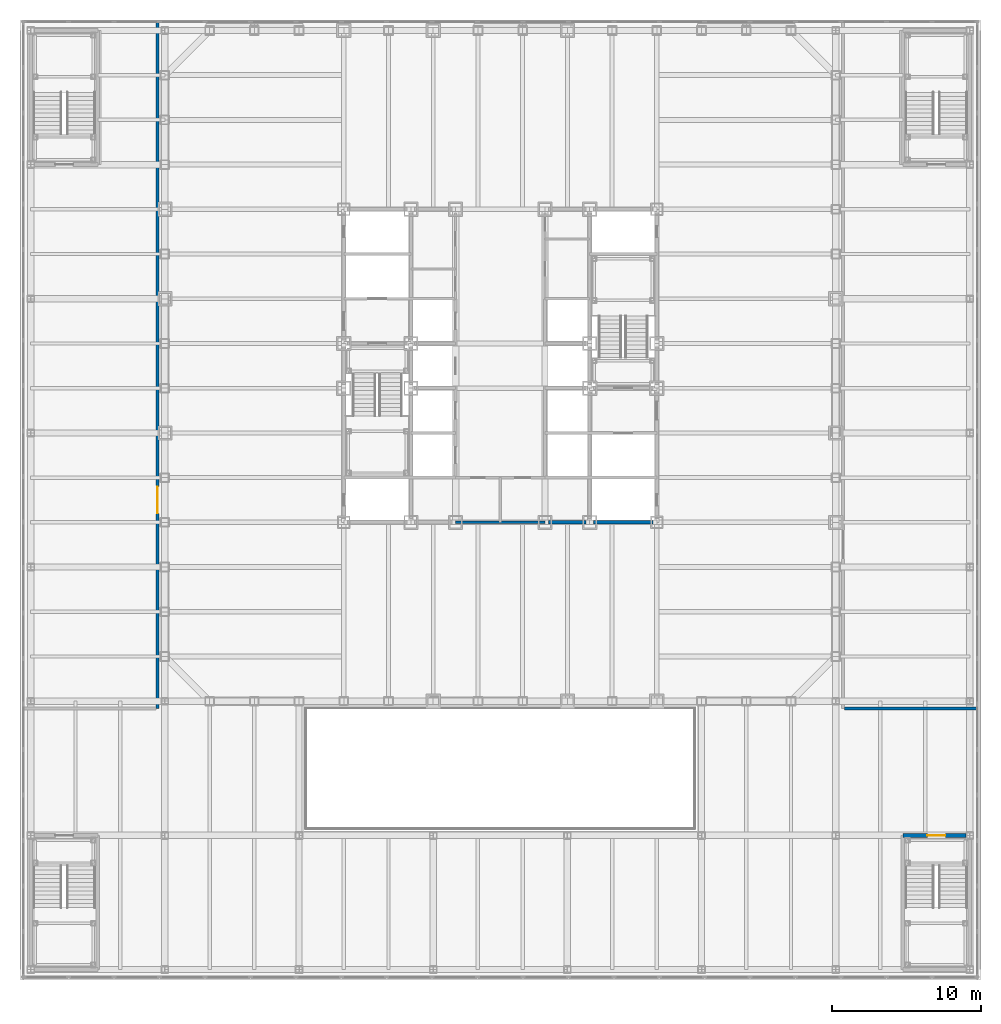
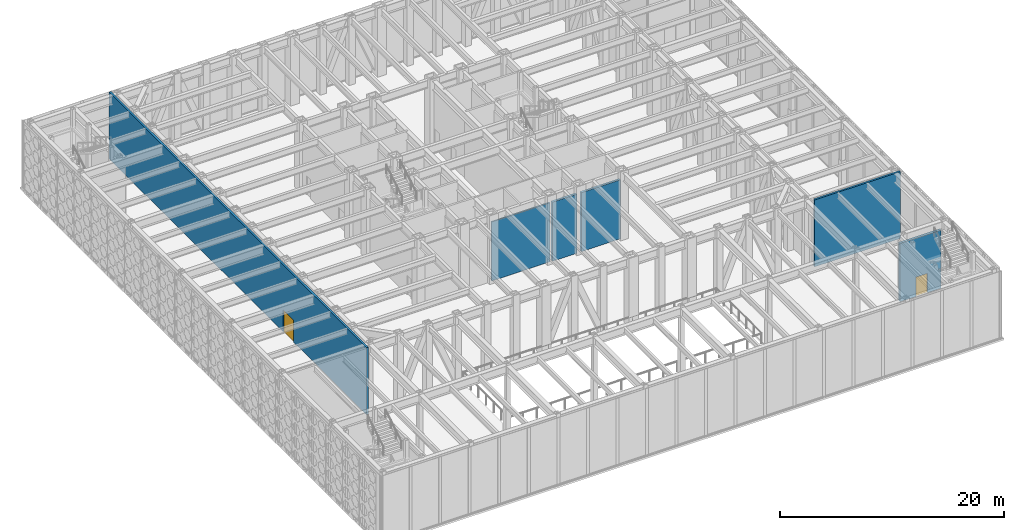
# One storey, part 15 of 34: 6 walls, 2 doors, 2 openings.
"""IFC4 building model written with IfcOpenShell, lengths in metres."""

from ifc_helpers import new_model, si_unit, direction, frame, frame_2d, origin, place, context, subcontext, project, spatial, rectangle, extrude, material, layer, layer_set, type_object, element, fill, save


model = new_model("IFC4")

# Units and contexts
model_context = context("Model", 3, precision=1e-05, world=origin(), true_north=direction((0.0, 1.0)))
body_context = subcontext(model_context, "Body", "Model", "MODEL_VIEW")
ifc_project = project(units=[si_unit("LENGTHUNIT", "METRE"), si_unit("AREAUNIT", "SQUARE_METRE"), si_unit("VOLUMEUNIT", "CUBIC_METRE"), si_unit("PLANEANGLEUNIT", "RADIAN"), si_unit("MASSUNIT", "GRAM", prefix="KILO")], contexts=[model_context])

# Site, building, storey
site_placement = place(None, origin())
site = spatial("IfcSite", under=ifc_project, at=site_placement, CompositionType="ELEMENT")
building_placement = place(site_placement, origin())
building = spatial("IfcBuilding", under=site, at=building_placement, Name="Chuquiago Exchange Tower", CompositionType="ELEMENT")
storey_placement = place(building_placement, frame((0.0, 0.0, 6.0)))
storey = spatial("IfcBuildingStorey", under=building, at=storey_placement, Name="L01", CompositionType="ELEMENT", Elevation=6.0)

# Walls
ifc_material_1 = material(Name="Concrete masonry, fully grouted", Category="masonry")
ifc_layer_1 = layer(ifc_material_1, 0.25)
ifc_layer_set_1 = layer_set([ifc_layer_1], Name="W1 core wall 250")
wall_type_1 = type_object("IfcWallType", Name="W1 core wall 250", PredefinedType="SOLIDWALL", material=ifc_layer_set_1)
wall_1_placement = place(storey_placement, frame((25.75, 12.0, 0.0), z_axis=(0.0, 0.0, 1.0), x_axis=(1.0, 0.0, 0.0)))
element("IfcWall", 1, at=wall_1_placement, inside=storey, type_object=wall_type_1, Name="CW-L01-02-0", PredefinedType="SOLIDWALL", context=body_context, shape_type="SweptSolid", body=[
    extrude(rectangle(XDim=2.5, YDim=0.25, at=frame_2d((1.25, 0.0))), origin(), (0.0, 0.0, 1.0), 6.44140625),
])
wall_2_placement = place(storey_placement, frame((28.75, 12.0, 0.0), z_axis=(0.0, 0.0, 1.0), x_axis=(1.0, 0.0, 0.0)))
element("IfcWall", 2, at=wall_2_placement, inside=storey, type_object=wall_type_1, Name="CW-L01-02-1", PredefinedType="SOLIDWALL", context=body_context, shape_type="SweptSolid", body=[
    extrude(rectangle(XDim=4.0, YDim=0.25, at=frame_2d((2.0, 0.0))), origin(), (0.0, 0.0, 1.0), 6.44140625),
])

# Wall, opening, door
ifc_material_2 = material(Name="Concrete masonry, fully grouted", Category="masonry")
ifc_layer_2 = layer(ifc_material_2, 0.25)
ifc_layer_set_2 = layer_set([ifc_layer_2], Name="W10 podium stair wall 250")
wall_type_2 = type_object("IfcWallType", Name="W10 podium stair wall 250", PredefinedType="SOLIDWALL", material=ifc_layer_set_2)
wall_3_placement = place(storey_placement, frame((49.5, -9.0, 0.0), z_axis=(0.0, 0.0, 1.0), x_axis=(1.0, 0.0, 0.0)))
wall_3 = element("IfcWall", 3, at=wall_3_placement, inside=storey, type_object=wall_type_2, Name="PSW-L01-PS2-20", PredefinedType="SOLIDWALL", context=body_context, shape_type="SweptSolid", body=[
    extrude(rectangle(XDim=4.25, YDim=0.25, at=frame_2d((2.125, 0.0))), origin(), (0.0, 0.0, 1.0), 6.3525390625),
])
opening_1_placement = place(wall_3_placement, frame((1.64990234375, 0.0, 0.0)))
opening_1 = element("IfcOpeningElement", 4, at=opening_1_placement, cuts=wall_3, Name="Opening L01-024", PredefinedType="OPENING", context=body_context, shape_type="SweptSolid", body=[
    extrude(rectangle(XDim=1.199951171875, YDim=2.10009765625, at=frame_2d((0.60009765625, 1.050048828125))), frame((0.0, 0.135009765625, 0.0), z_axis=(0.0, -1.0, 0.0), x_axis=(1.0, 0.0, 0.0)), (0.0, 0.0, 1.0), 0.27001953125),
])
ifc_material_3 = material(Name="Steel door, painted", Category="steel")
door_type_1 = type_object("IfcDoorType", Name="D4 stair door 1200x2100", OperationType="SINGLE_SWING_LEFT", PredefinedType="DOOR", material=ifc_material_3)
door_1_placement = place(opening_1_placement, frame((1.199951171875, 0.0, 0.0), z_axis=(0.0, 0.0, 1.0), x_axis=(-1.0, 0.0, 0.0)))
door_1 = element("IfcDoor", 5, at=door_1_placement, inside=storey, type_object=door_type_1, Name="Stair PS2 door", OperationType="SINGLE_SWING_RIGHT", OverallHeight=2.10009765625, OverallWidth=1.199951171875, PredefinedType="DOOR", context=body_context, shape_type="SweptSolid", body=[
    extrude(rectangle(XDim=1.199951171875, YDim=2.10009765625, at=frame_2d((0.60009765625, 1.050048828125))), frame((0.0, 0.02490234375, 0.0), z_axis=(0.0, -1.0, 0.0), x_axis=(1.0, 0.0, 0.0)), (0.0, 0.0, 1.0), 0.050048828125),
])
fill(opening_1, door_1)

# Wall
ifc_material_4 = material(Name="Gypsum board on steel studs", Category="steel")
ifc_layer_3 = layer(ifc_material_4, 0.14990234375)
ifc_layer_set_3 = layer_set([ifc_layer_3], Name="W3 core partition 150")
wall_type_3 = type_object("IfcWallType", Name="W3 core partition 150", PredefinedType="PARTITIONING", material=ifc_layer_set_3)
wall_4_placement = place(storey_placement, frame((19.5, 12.0, 0.0), z_axis=(0.0, 0.0, 1.0), x_axis=(1.0, 0.0, 0.0)))
element("IfcWall", 6, at=wall_4_placement, inside=storey, type_object=wall_type_3, Name="CW-L01-TB", PredefinedType="PARTITIONING", context=body_context, shape_type="SweptSolid", body=[
    extrude(rectangle(XDim=6.0, YDim=0.14990234375, at=frame_2d((3.0, 0.0))), origin(), (0.0, 0.0, 1.0), 6.44140625),
])

# Wall, opening, door
ifc_material_5 = material(Name="Gypsum board on steel studs, double layer", Category="steel")
ifc_layer_4 = layer(ifc_material_5, 0.199951171875)
ifc_layer_set_4 = layer_set([ifc_layer_4], Name="W6 wing partition 200")
wall_type_4 = type_object("IfcWallType", Name="W6 wing partition 200", PredefinedType="PARTITIONING", material=ifc_layer_set_4)
wall_5_placement = place(storey_placement, frame((-0.5, -0.5, 0.0), z_axis=(0.0, 0.0, 1.0), x_axis=(0.0, 1.0, 0.0)))
wall_5 = element("IfcWall", 7, at=wall_5_placement, inside=storey, type_object=wall_type_4, Name="WW-L01-W", PredefinedType="PARTITIONING", context=body_context, shape_type="SweptSolid", body=[
    extrude(rectangle(XDim=46.017578125, YDim=0.199951171875, at=frame_2d((23.0087890625, 0.0))), origin(), (0.0, 0.0, 1.0), 7.300048828125),
])
opening_2_placement = place(wall_5_placement, frame((13.10009765625, 0.0, 0.0)))
opening_2 = element("IfcOpeningElement", 8, at=opening_2_placement, cuts=wall_5, Name="Opening L01-021", PredefinedType="OPENING", context=body_context, shape_type="SweptSolid", body=[
    extrude(rectangle(XDim=1.800048828125, YDim=2.39990234375, at=frame_2d((0.89990234375, 1.199951171875))), frame((0.0, 0.10986328125, 0.0), z_axis=(0.0, -1.0, 0.0), x_axis=(1.0, 0.0, 0.0)), (0.0, 0.0, 1.0), 0.219970703125),
])
ifc_material_6 = material(Name="Timber door, laminate faced", Category="wood")
door_type_2 = type_object("IfcDoorType", Name="D10 double door 1800x2400", OperationType="DOUBLE_DOOR_DOUBLE_SWING", PredefinedType="DOOR", material=ifc_material_6)
door_2_placement = place(opening_2_placement, origin())
door_2 = element("IfcDoor", 9, at=door_2_placement, inside=storey, type_object=door_type_2, Name="Broker lounge door", OperationType="DOUBLE_DOOR_DOUBLE_SWING", OverallHeight=2.39990234375, OverallWidth=1.800048828125, PredefinedType="DOOR", context=body_context, shape_type="SweptSolid", body=[
    extrude(rectangle(XDim=1.800048828125, YDim=2.39990234375, at=frame_2d((0.89990234375, 1.199951171875))), frame((0.0, 0.02490234375, 0.0), z_axis=(0.0, -1.0, 0.0), x_axis=(1.0, 0.0, 0.0)), (0.0, 0.0, 1.0), 0.050048828125),
])
fill(opening_2, door_2)

# Wall
wall_6_placement = place(storey_placement, frame((45.60009765625, -0.5, 0.0), z_axis=(0.0, 0.0, 1.0), x_axis=(1.0, 0.0, 0.0)))
element("IfcWall", 10, at=wall_6_placement, inside=storey, type_object=wall_type_4, Name="WW-L01-SE", PredefinedType="PARTITIONING", context=body_context, shape_type="SweptSolid", body=[
    extrude(rectangle(XDim=8.867919921875, YDim=0.199951171875, at=frame_2d((4.43408203125, 0.0))), origin(), (0.0, 0.0, 1.0), 7.300048828125),
])

save(model, "model.ifc")
